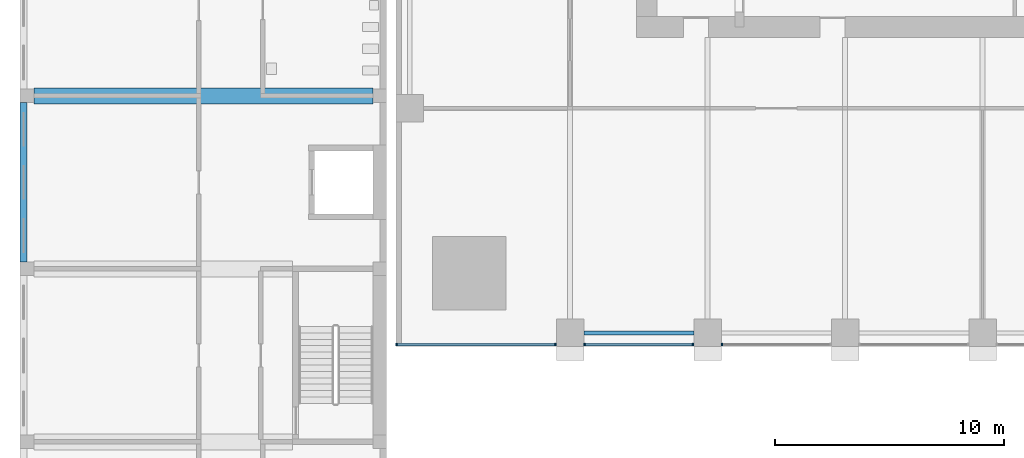
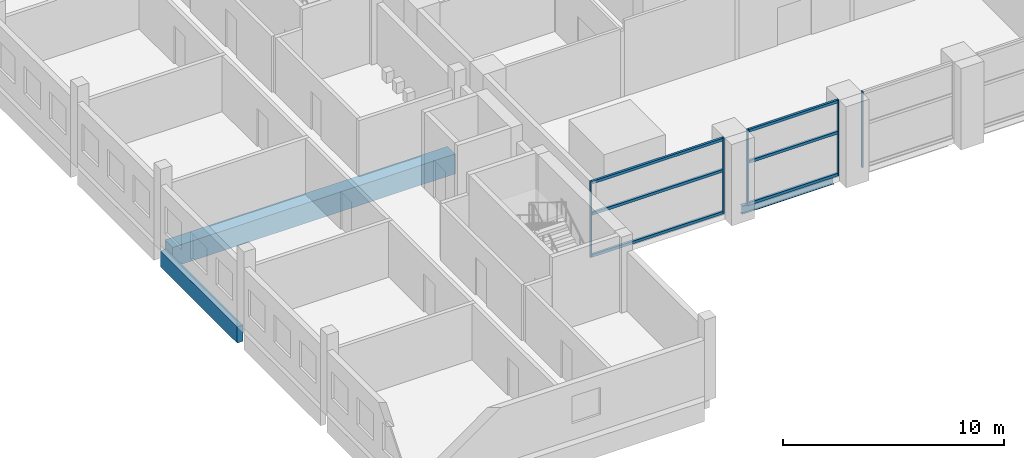
# One storey, part 2 of 25: 11 members, 3 beams, 3 elements without a shape of their own.
"""IFC4 building model written with IfcOpenShell, lengths in metres."""

from ifc_helpers import new_model, si_unit, direction, frame, origin, origin_2d, place, context, subcontext, project, spatial, rectangle, i_section, extrude, material, material_profile, profile_set, type_object, element, aggregate, save


model = new_model("IFC4")

# Units and contexts
model_context = context("Model", 3, precision=1e-05, world=origin(), true_north=direction((0.0, 1.0)))
body_context = subcontext(model_context, "Body", "Model", "MODEL_VIEW")
ifc_project = project(units=[si_unit("LENGTHUNIT", "METRE"), si_unit("AREAUNIT", "SQUARE_METRE"), si_unit("VOLUMEUNIT", "CUBIC_METRE"), si_unit("PLANEANGLEUNIT", "RADIAN"), si_unit("MASSUNIT", "GRAM", prefix="KILO")], contexts=[model_context])

# Site, building, storey
site_placement = place(None, origin())
site = spatial("IfcSite", under=ifc_project, at=site_placement, CompositionType="ELEMENT")
building_placement = place(site_placement, origin())
building = spatial("IfcBuilding", under=site, at=building_placement, Name="Amberfall Residences", CompositionType="ELEMENT")
storey_placement = place(building_placement, frame((0.0, 0.0, 14.5)))
storey = spatial("IfcBuildingStorey", under=building, at=storey_placement, Name="L03", CompositionType="ELEMENT", Elevation=14.5)

# Curtain wall, members
ifc_material_1 = material(Name="Bronze anodised aluminium and glass", Category="aluminium")
curtain_wall_type = type_object("IfcCurtainWallType", Name="Curtain wall CW4 podium storefront", PredefinedType="USERDEFINED", material=ifc_material_1)
curtain_wall_1_placement = place(storey_placement, origin())
curtain_wall_1 = element("IfcCurtainWall", 1, at=curtain_wall_1_placement, inside=storey, type_object=curtain_wall_type, Name="Storefront L03 S1", ObjectType="UNITISED CURTAIN WALL", PredefinedType="USERDEFINED")
ifc_material_2 = material(Name="Bronze anodised aluminium", Category="aluminium")
ifc_material_profile_1 = material_profile(ifc_material_2, rectangle(XDim=0.1201171875, YDim=0.070068359375, at=origin_2d()), Name="CW4 mullion 70 x 120 bronze")
ifc_profile_set_1 = profile_set([ifc_material_profile_1], Name="Bronze anodised aluminium")
member_type_1 = type_object("IfcMemberType", Name="CW4 mullion 70 x 120 bronze", PredefinedType="MULLION", material=ifc_profile_set_1)
member_1_placement = place(storey_placement, frame((52.034912109375, 20.10009765625, 0.0), z_axis=(0.0, 0.0, 1.0), x_axis=(0.0, 1.0, 0.0)))
member_1 = element("IfcMember", 2, at=member_1_placement, type_object=member_type_1, Name="CW4 mullion 1", PredefinedType="MULLION", context=body_context, shape_type="SweptSolid", body=[
    extrude(rectangle(XDim=0.1201171875, YDim=0.070068359375, at=origin_2d()), origin(), (0.0, 0.0, 1.0), 4.199951171875),
])
member_2_placement = place(storey_placement, frame((58.965087890625, 20.10009765625, 0.0), z_axis=(0.0, 0.0, 1.0), x_axis=(0.0, 1.0, 0.0)))
member_2 = element("IfcMember", 3, at=member_2_placement, type_object=member_type_1, Name="CW4 mullion 2", PredefinedType="MULLION", context=body_context, shape_type="SweptSolid", body=[
    extrude(rectangle(XDim=0.1201171875, YDim=0.070068359375, at=origin_2d()), origin(), (0.0, 0.0, 1.0), 4.199951171875),
])

curtain_wall_2_placement = place(storey_placement, origin())
curtain_wall_2 = element("IfcCurtainWall", 4, at=curtain_wall_2_placement, inside=storey, type_object=curtain_wall_type, Name="Storefront L03 S2", ObjectType="UNITISED CURTAIN WALL", PredefinedType="USERDEFINED")
member_3_placement = place(storey_placement, frame((60.235107421875, 20.10009765625, 0.0), z_axis=(0.0, 0.0, 1.0), x_axis=(0.0, 1.0, 0.0)))
member_3 = element("IfcMember", 5, at=member_3_placement, type_object=member_type_1, Name="CW4 mullion 1", PredefinedType="MULLION", context=body_context, shape_type="SweptSolid", body=[
    extrude(rectangle(XDim=0.1201171875, YDim=0.070068359375, at=origin_2d()), origin(), (0.0, 0.0, 1.0), 4.199951171875),
])
member_4_placement = place(storey_placement, frame((64.965087890625, 20.10009765625, 0.0), z_axis=(0.0, 0.0, 1.0), x_axis=(0.0, 1.0, 0.0)))
member_4 = element("IfcMember", 6, at=member_4_placement, type_object=member_type_1, Name="CW4 mullion 2", PredefinedType="MULLION", context=body_context, shape_type="SweptSolid", body=[
    extrude(rectangle(XDim=0.1201171875, YDim=0.070068359375, at=origin_2d()), origin(), (0.0, 0.0, 1.0), 4.199951171875),
])

# Curtain wall, member
curtain_wall_3_placement = place(storey_placement, origin())
curtain_wall_3 = element("IfcCurtainWall", 7, at=curtain_wall_3_placement, inside=storey, type_object=curtain_wall_type, Name="Storefront L03 S3", ObjectType="UNITISED CURTAIN WALL", PredefinedType="USERDEFINED")
member_5_placement = place(storey_placement, frame((66.235107421875, 20.10009765625, 0.0), z_axis=(0.0, 0.0, 1.0), x_axis=(0.0, 1.0, 0.0)))
member_5 = element("IfcMember", 8, at=member_5_placement, type_object=member_type_1, Name="CW4 mullion 1", PredefinedType="MULLION", context=body_context, shape_type="SweptSolid", body=[
    extrude(rectangle(XDim=0.1201171875, YDim=0.070068359375, at=origin_2d()), origin(), (0.0, 0.0, 1.0), 4.199951171875),
])
aggregate(curtain_wall_3, [member_5])

# Member
ifc_material_profile_2 = material_profile(ifc_material_2, rectangle(XDim=0.1201171875, YDim=0.14990234375, at=origin_2d()), Name="CW4 transom 120 x 150 bronze")
ifc_profile_set_2 = profile_set([ifc_material_profile_2], Name="Bronze anodised aluminium")
member_type_2 = type_object("IfcMemberType", Name="CW4 transom 120 x 150 bronze", PredefinedType="USERDEFINED", material=ifc_profile_set_2)
member_6_placement = place(storey_placement, frame((52.070068359375, 20.10009765625, 0.074951171875), z_axis=(1.0, 0.0, 0.0), x_axis=(0.0, 1.0, 0.0)))
member_6 = element("IfcMember", 9, at=member_6_placement, type_object=member_type_2, Name="CW4 transom 1.1", ObjectType="TRANSOM", PredefinedType="USERDEFINED", context=body_context, shape_type="SweptSolid", body=[
    extrude(rectangle(XDim=0.1201171875, YDim=0.14990234375, at=origin_2d()), origin(), (0.0, 0.0, 1.0), 6.85986328125),
])

member_7_placement = place(storey_placement, frame((52.070068359375, 20.10009765625, 2.39990234375), z_axis=(1.0, 0.0, 0.0), x_axis=(0.0, 1.0, 0.0)))
member_7 = element("IfcMember", 10, at=member_7_placement, type_object=member_type_2, Name="CW4 transom 1.2", ObjectType="TRANSOM", PredefinedType="USERDEFINED", context=body_context, shape_type="SweptSolid", body=[
    extrude(rectangle(XDim=0.1201171875, YDim=0.14990234375, at=origin_2d()), origin(), (0.0, 0.0, 1.0), 6.85986328125),
])

member_8_placement = place(storey_placement, frame((52.070068359375, 20.10009765625, 4.125), z_axis=(1.0, 0.0, 0.0), x_axis=(0.0, 1.0, 0.0)))
member_8 = element("IfcMember", 11, at=member_8_placement, type_object=member_type_2, Name="CW4 transom 1.3", ObjectType="TRANSOM", PredefinedType="USERDEFINED", context=body_context, shape_type="SweptSolid", body=[
    extrude(rectangle(XDim=0.1201171875, YDim=0.14990234375, at=origin_2d()), origin(), (0.0, 0.0, 1.0), 6.85986328125),
])

aggregate(curtain_wall_1, [member_1, member_2, member_6, member_7, member_8])

member_9_placement = place(storey_placement, frame((60.27001953125, 20.10009765625, 0.074951171875), z_axis=(1.0, 0.0, 0.0), x_axis=(0.0, 1.0, 0.0)))
member_9 = element("IfcMember", 12, at=member_9_placement, type_object=member_type_2, Name="CW4 transom 1.1", ObjectType="TRANSOM", PredefinedType="USERDEFINED", context=body_context, shape_type="SweptSolid", body=[
    extrude(rectangle(XDim=0.1201171875, YDim=0.14990234375, at=origin_2d()), origin(), (0.0, 0.0, 1.0), 4.659912109375),
])

member_10_placement = place(storey_placement, frame((60.27001953125, 20.10009765625, 2.39990234375), z_axis=(1.0, 0.0, 0.0), x_axis=(0.0, 1.0, 0.0)))
member_10 = element("IfcMember", 13, at=member_10_placement, type_object=member_type_2, Name="CW4 transom 1.2", ObjectType="TRANSOM", PredefinedType="USERDEFINED", context=body_context, shape_type="SweptSolid", body=[
    extrude(rectangle(XDim=0.1201171875, YDim=0.14990234375, at=origin_2d()), origin(), (0.0, 0.0, 1.0), 4.659912109375),
])

member_11_placement = place(storey_placement, frame((60.27001953125, 20.10009765625, 4.125), z_axis=(1.0, 0.0, 0.0), x_axis=(0.0, 1.0, 0.0)))
member_11 = element("IfcMember", 14, at=member_11_placement, type_object=member_type_2, Name="CW4 transom 1.3", ObjectType="TRANSOM", PredefinedType="USERDEFINED", context=body_context, shape_type="SweptSolid", body=[
    extrude(rectangle(XDim=0.1201171875, YDim=0.14990234375, at=origin_2d()), origin(), (0.0, 0.0, 1.0), 4.659912109375),
])

aggregate(curtain_wall_2, [member_3, member_4, member_9, member_10, member_11])

# Beams
ifc_material_3 = material(Name="Steel S355", Category="steel")
ifc_material_profile_3 = material_profile(ifc_material_3, i_section(OverallWidth=0.18994140625, OverallDepth=0.453369140625, WebThickness=0.008544921875, FlangeThickness=0.0126953125, FilletRadius=0.01025390625, at=origin_2d()), Name="UB 457x191x67")
ifc_profile_set_3 = profile_set([ifc_material_profile_3], Name="Steel S355")
beam_type_1 = type_object("IfcBeamType", Name="Edge beam UB 457x191x67", PredefinedType="SPANDREL", material=ifc_profile_set_3)
beam_1_placement = place(storey_placement, frame((60.199951171875, 20.60009765625, -0.526611328125), z_axis=(1.0, 0.0, 0.0), x_axis=(0.0, 1.0, 0.0)))
element("IfcBeam", 15, at=beam_1_placement, inside=storey, type_object=beam_type_1, Name="Edge beam B1 L03 01", PredefinedType="SPANDREL", context=body_context, shape_type="SweptSolid", body=[
    extrude(i_section(OverallWidth=0.18994140625, OverallDepth=0.453369140625, WebThickness=0.008544921875, FlangeThickness=0.0126953125, FilletRadius=0.01025390625, at=origin_2d()), origin(), (0.0, 0.0, 1.0), 4.800048828125),
])
ifc_material_4 = material(Name="Concrete C40", Category="concrete")
ifc_material_profile_4 = material_profile(ifc_material_4, rectangle(XDim=0.699951171875, YDim=1.10009765625, at=origin_2d()), Name="School beam 700 x 1100 C40")
ifc_profile_set_4 = profile_set([ifc_material_profile_4], Name="Concrete C40")
beam_type_2 = type_object("IfcBeamType", Name="School beam 700 x 1100 C40", PredefinedType="BEAM", material=ifc_profile_set_4)
beam_2_placement = place(storey_placement, frame((36.199951171875, 30.949951171875, -0.85009765625), z_axis=(1.0, 0.0, 0.0), x_axis=(0.0, 1.0, 0.0)))
element("IfcBeam", 16, at=beam_2_placement, inside=storey, type_object=beam_type_2, Name="TW3", PredefinedType="BEAM", context=body_context, shape_type="SweptSolid", body=[
    extrude(rectangle(XDim=0.699951171875, YDim=1.10009765625, at=origin_2d()), origin(), (0.0, 0.0, 1.0), 14.800048828125),
])
ifc_material_profile_5 = material_profile(ifc_material_4, rectangle(XDim=0.300048828125, YDim=0.89990234375, at=origin_2d()), Name="School edge beam 300 x 900 C40")
ifc_profile_set_5 = profile_set([ifc_material_profile_5], Name="Concrete C40")
beam_type_3 = type_object("IfcBeamType", Name="School edge beam 300 x 900 C40", PredefinedType="BEAM", material=ifc_profile_set_5)
beam_3_placement = place(storey_placement, frame((35.75, 23.699951171875, -0.75), z_axis=(0.0, 1.0, 0.0), x_axis=(-1.0, 0.0, 0.0)))
element("IfcBeam", 17, at=beam_3_placement, inside=storey, type_object=beam_type_3, Name="GW2", PredefinedType="BEAM", context=body_context, shape_type="SweptSolid", body=[
    extrude(rectangle(XDim=0.300048828125, YDim=0.89990234375, at=origin_2d()), origin(), (0.0, 0.0, 1.0), 6.949951171875),
])

save(model, "model.ifc")
